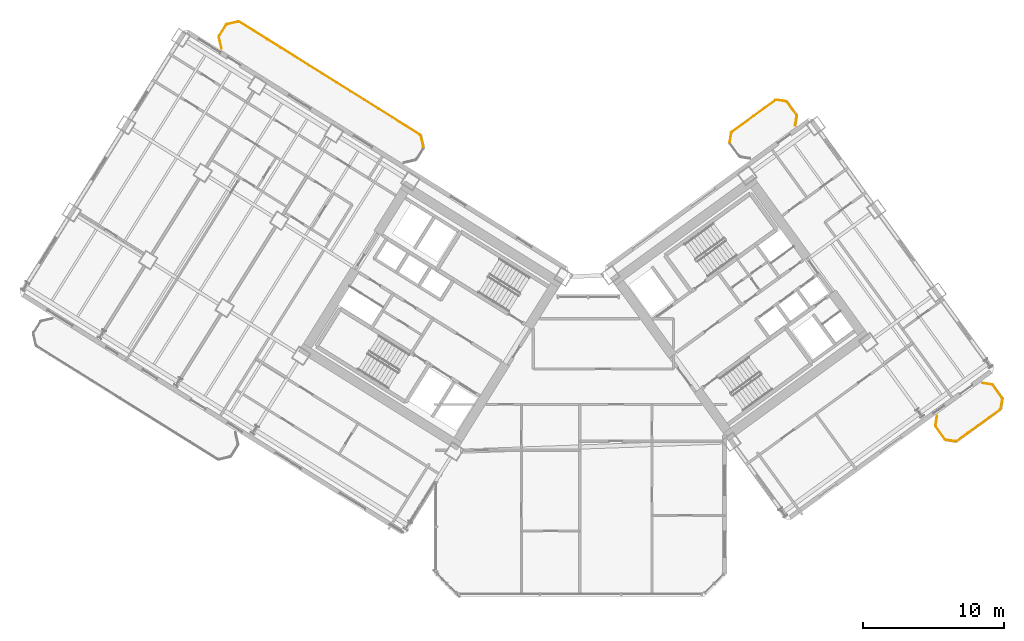
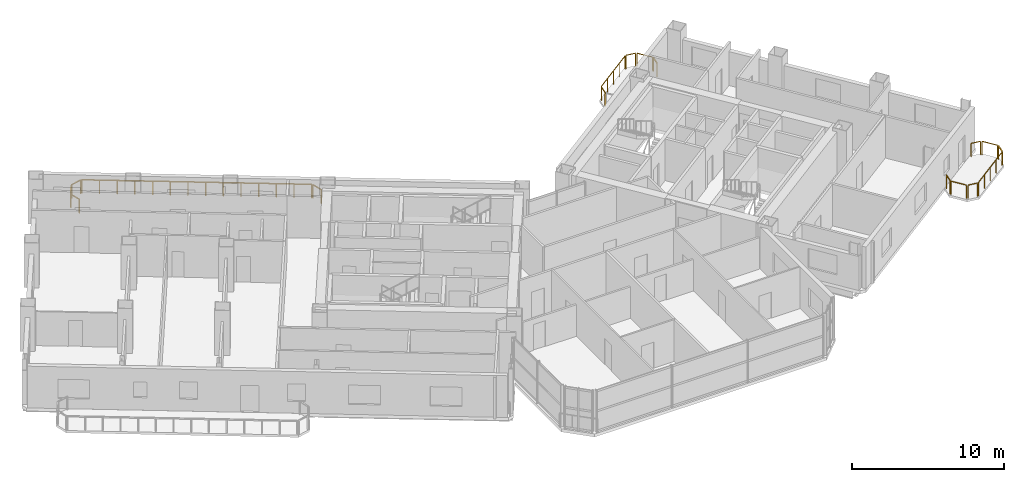
# One storey, part 24 of 24: 17 railings.
"""IFC4 building model written with IfcOpenShell, lengths in metres."""

from ifc_helpers import new_model, si_unit, direction, frame, origin, origin_2d, place, context, subcontext, project, spatial, rectangle, extrude, source, transform, mapped, material, type_object, element, save


model = new_model("IFC4")

# Units and contexts
model_context = context("Model", 3, precision=1e-05, world=origin(), true_north=direction((0.0, 1.0)))
body_context = subcontext(model_context, "Body", "Model", "MODEL_VIEW")
ifc_project = project(units=[si_unit("LENGTHUNIT", "METRE"), si_unit("AREAUNIT", "SQUARE_METRE"), si_unit("VOLUMEUNIT", "CUBIC_METRE"), si_unit("PLANEANGLEUNIT", "RADIAN"), si_unit("MASSUNIT", "GRAM", prefix="KILO")], contexts=[model_context])

# Site, building, storey
site_placement = place(None, origin())
site = spatial("IfcSite", under=ifc_project, at=site_placement, CompositionType="ELEMENT")
building_placement = place(site_placement, origin())
building = spatial("IfcBuilding", under=site, at=building_placement, Name="Tlacorven Tower", CompositionType="ELEMENT")
storey_placement = place(building_placement, frame((0.0, 0.0, 38.39990234375)))
storey = spatial("IfcBuildingStorey", under=building, at=storey_placement, Name="L09", CompositionType="ELEMENT", Elevation=38.39990234375)

# Railings
ifc_material = material(Name="Aluminium and painted steel balustrade", Category="steel")
railing_type = type_object("IfcRailingType", Name="RL-BAL-1100", PredefinedType="BALUSTRADE", material=ifc_material)
shared_shape_1 = source(origin(), body_context, "Body", "SweptSolid", [
    extrude(rectangle(XDim=0.048095703125, YDim=0.048095703125, at=origin_2d()), frame((0.0, 0.0, 1.076171875), z_axis=(0.225058334816, -0.974345290916, 0.0), x_axis=(0.974345290916, 0.225058334816, 0.0)), (0.0, 0.0, 1.0), 0.80712890625),
    extrude(rectangle(XDim=0.0419921875, YDim=0.0419921875, at=origin_2d()), origin(), (0.0, 0.0, 1.0), 1.052001953125),
    extrude(rectangle(XDim=0.0419921875, YDim=0.0419921875, at=origin_2d()), frame((0.181640625, -0.786376953125, 0.0)), (0.0, 0.0, 1.0), 1.052001953125),
])
railing_1_placement = place(storey_placement, frame((30.6796875, 34.466064453125, 0.0)))
element("IfcRailing", 1, at=railing_1_placement, inside=storey, type_object=railing_type, Name="BAL-L09-W-IN Guard Railing 1", PredefinedType="BALUSTRADE", context=body_context, shape_type="MappedRepresentation", body=[
    mapped(shared_shape_1, transform((0.0, 0.0, 0.0), scale=1.0)),
])
shared_shape_2 = source(origin(), body_context, "Body", "SweptSolid", [
    extrude(rectangle(XDim=0.048095703125, YDim=0.048095703125, at=origin_2d()), frame((0.0, 0.0, 1.076171875), z_axis=(-0.225058334816, 0.974345290916, 0.0), x_axis=(-0.974345290916, -0.225058334816, 0.0)), (0.0, 0.0, 1.0), 0.80712890625),
    extrude(rectangle(XDim=0.0419921875, YDim=0.0419921875, at=origin_2d()), origin(), (0.0, 0.0, 1.0), 1.052001953125),
    extrude(rectangle(XDim=0.0419921875, YDim=0.0419921875, at=origin_2d()), frame((-0.181640625, 0.786376953125, 0.0)), (0.0, 0.0, 1.0), 1.052001953125),
])
railing_2_placement = place(storey_placement, frame((16.5361328125, 40.68115234375, 0.0)))
element("IfcRailing", 2, at=railing_2_placement, inside=storey, type_object=railing_type, Name="BAL-L09-W-IN Guard Railing 4", PredefinedType="BALUSTRADE", context=body_context, shape_type="MappedRepresentation", body=[
    mapped(shared_shape_2, transform((0.0, 0.0, 0.0), scale=1.0)),
])
shared_shape_3 = source(origin(), body_context, "Body", "SweptSolid", [
    extrude(rectangle(XDim=0.048095703125, YDim=0.048095703125, at=origin_2d()), frame((0.0, 0.0, 1.076171875), z_axis=(0.52987865805, 0.848073468364, 0.0), x_axis=(-0.848073468364, 0.52987865805, 0.0)), (0.0, 0.0, 1.0), 0.912353515625),
    extrude(rectangle(XDim=0.0419921875, YDim=0.0419921875, at=origin_2d()), origin(), (0.0, 0.0, 1.0), 1.052001953125),
    extrude(rectangle(XDim=0.0419921875, YDim=0.0419921875, at=origin_2d()), frame((0.4833984375, 0.773681640625, 0.0)), (0.0, 0.0, 1.0), 1.052001953125),
])
railing_3_placement = place(storey_placement, frame((16.369873046875, 41.55859375, 0.0)))
element("IfcRailing", 3, at=railing_3_placement, inside=storey, type_object=railing_type, Name="BAL-L09-W-IN Guard Railing 5", PredefinedType="BALUSTRADE", context=body_context, shape_type="MappedRepresentation", body=[
    mapped(shared_shape_3, transform((0.0, 0.0, 0.0), scale=1.0)),
])
shared_shape_4 = source(origin(), body_context, "Body", "SweptSolid", [
    extrude(rectangle(XDim=0.048095703125, YDim=0.048095703125, at=origin_2d()), frame((0.0, 0.0, 1.076171875), z_axis=(0.974411586182, 0.224771129628, 0.0), x_axis=(-0.224771129628, 0.974411586182, 0.0)), (0.0, 0.0, 1.0), 0.80712890625),
    extrude(rectangle(XDim=0.0419921875, YDim=0.0419921875, at=origin_2d()), origin(), (0.0, 0.0, 1.0), 1.052001953125),
    extrude(rectangle(XDim=0.0419921875, YDim=0.0419921875, at=origin_2d()), frame((0.786376953125, 0.181396484375, 0.0)), (0.0, 0.0, 1.0), 1.052001953125),
])
railing_4_placement = place(storey_placement, frame((16.928466796875, 42.385986328125, 0.0)))
element("IfcRailing", 4, at=railing_4_placement, inside=storey, type_object=railing_type, Name="BAL-L09-W-IN Guard Railing 6", PredefinedType="BALUSTRADE", context=body_context, shape_type="MappedRepresentation", body=[
    mapped(shared_shape_4, transform((0.0, 0.0, 0.0), scale=1.0)),
])
shared_shape_5 = source(origin(), body_context, "Body", "SweptSolid", [
    extrude(rectangle(XDim=0.048095703125, YDim=0.048095703125, at=origin_2d()), frame((0.0, 0.0, 1.076171875), z_axis=(0.848044572804, -0.529924902733, 0.0), x_axis=(0.529924902733, 0.848044572804, 0.0)), (0.0, 0.0, 1.0), 15.1171875),
    extrude(rectangle(XDim=0.0419921875, YDim=0.0419921875, at=origin_2d()), origin(), (0.0, 0.0, 1.0), 1.052001953125),
    extrude(rectangle(XDim=0.0419921875, YDim=0.0419921875, at=origin_2d()), frame((0.986083984375, -0.6162109375, 0.0)), (0.0, 0.0, 1.0), 1.052001953125),
    extrude(rectangle(XDim=0.0419921875, YDim=0.0419921875, at=origin_2d()), frame((1.972412109375, -1.232421875, 0.0)), (0.0, 0.0, 1.0), 1.052001953125),
    extrude(rectangle(XDim=0.0419921875, YDim=0.0419921875, at=origin_2d()), frame((2.95849609375, -1.8486328125, 0.0)), (0.0, 0.0, 1.0), 1.052001953125),
    extrude(rectangle(XDim=0.0419921875, YDim=0.0419921875, at=origin_2d()), frame((3.944580078125, -2.46484375, 0.0)), (0.0, 0.0, 1.0), 1.052001953125),
    extrude(rectangle(XDim=0.0419921875, YDim=0.0419921875, at=origin_2d()), frame((4.930908203125, -3.0810546875, 0.0)), (0.0, 0.0, 1.0), 1.052001953125),
    extrude(rectangle(XDim=0.0419921875, YDim=0.0419921875, at=origin_2d()), frame((5.9169921875, -3.697265625, 0.0)), (0.0, 0.0, 1.0), 1.052001953125),
    extrude(rectangle(XDim=0.0419921875, YDim=0.0419921875, at=origin_2d()), frame((6.903076171875, -4.313720703125, 0.0)), (0.0, 0.0, 1.0), 1.052001953125),
    extrude(rectangle(XDim=0.0419921875, YDim=0.0419921875, at=origin_2d()), frame((7.88916015625, -4.929931640625, 0.0)), (0.0, 0.0, 1.0), 1.052001953125),
    extrude(rectangle(XDim=0.0419921875, YDim=0.0419921875, at=origin_2d()), frame((8.87548828125, -5.546142578125, 0.0)), (0.0, 0.0, 1.0), 1.052001953125),
    extrude(rectangle(XDim=0.0419921875, YDim=0.0419921875, at=origin_2d()), frame((9.861572265625, -6.162353515625, 0.0)), (0.0, 0.0, 1.0), 1.052001953125),
    extrude(rectangle(XDim=0.0419921875, YDim=0.0419921875, at=origin_2d()), frame((10.84765625, -6.778564453125, 0.0)), (0.0, 0.0, 1.0), 1.052001953125),
    extrude(rectangle(XDim=0.0419921875, YDim=0.0419921875, at=origin_2d()), frame((11.833984375, -7.394775390625, 0.0)), (0.0, 0.0, 1.0), 1.052001953125),
    extrude(rectangle(XDim=0.0419921875, YDim=0.0419921875, at=origin_2d()), frame((12.820068359375, -8.010986328125, 0.0)), (0.0, 0.0, 1.0), 1.052001953125),
])
railing_5_placement = place(storey_placement, frame((17.805908203125, 42.55224609375, 0.0)))
element("IfcRailing", 5, at=railing_5_placement, inside=storey, type_object=railing_type, Name="BAL-L09-W-IN Guard Railing 7", PredefinedType="BALUSTRADE", context=body_context, shape_type="MappedRepresentation", body=[
    mapped(shared_shape_5, transform((0.0, 0.0, 0.0), scale=1.0)),
])
shared_shape_6 = source(origin(), body_context, "Body", "SweptSolid", [
    extrude(rectangle(XDim=0.048095703125, YDim=0.048095703125, at=origin_2d()), frame((0.0, 0.0, 1.076171875), z_axis=(-0.987661653326, 0.156602868908, 0.0), x_axis=(-0.156602868908, -0.987661653326, 0.0)), (0.0, 0.0, 1.0), 0.665771484375),
    extrude(rectangle(XDim=0.0419921875, YDim=0.0419921875, at=origin_2d()), origin(), (0.0, 0.0, 1.0), 1.052001953125),
    extrude(rectangle(XDim=0.0419921875, YDim=0.0419921875, at=origin_2d()), frame((-0.657470703125, 0.104248046875, 0.0)), (0.0, 0.0, 1.0), 1.052001953125),
])
railing_6_placement = place(storey_placement, frame((68.59521484375, 12.7919921875, 0.0)))
element("IfcRailing", 6, at=railing_6_placement, inside=storey, type_object=railing_type, Name="BAL-L09-E-OUT Guard Railing 1", PredefinedType="BALUSTRADE", context=body_context, shape_type="MappedRepresentation", body=[
    mapped(shared_shape_6, transform((0.0, 0.0, 0.0), scale=1.0)),
])
shared_shape_7 = source(origin(), body_context, "Body", "SweptSolid", [
    extrude(rectangle(XDim=0.048095703125, YDim=0.048095703125, at=origin_2d()), frame((0.0, 0.0, 1.076171875), z_axis=(-0.58788449985, 0.808944877501, 0.0), x_axis=(-0.808944877501, -0.58788449985, 0.0)), (0.0, 0.0, 1.0), 1.112060546875),
    extrude(rectangle(XDim=0.0419921875, YDim=0.0419921875, at=origin_2d()), origin(), (0.0, 0.0, 1.0), 1.052001953125),
    extrude(rectangle(XDim=0.0419921875, YDim=0.0419921875, at=origin_2d()), frame((-0.65380859375, 0.899658203125, 0.0)), (0.0, 0.0, 1.0), 1.052001953125),
])
railing_7_placement = place(storey_placement, frame((67.85888671875, 12.944580078125, 0.0)))
element("IfcRailing", 7, at=railing_7_placement, inside=storey, type_object=railing_type, Name="BAL-L09-E-OUT Guard Railing 2", PredefinedType="BALUSTRADE", context=body_context, shape_type="MappedRepresentation", body=[
    mapped(shared_shape_7, transform((0.0, 0.0, 0.0), scale=1.0)),
])
shared_shape_8 = source(origin(), body_context, "Body", "SweptSolid", [
    extrude(rectangle(XDim=0.048095703125, YDim=0.048095703125, at=origin_2d()), frame((0.0, 0.0, 1.076171875), z_axis=(0.156602868908, 0.987661653326, 0.0), x_axis=(-0.987661653326, 0.156602868908, 0.0)), (0.0, 0.0, 1.0), 0.665771484375),
    extrude(rectangle(XDim=0.0419921875, YDim=0.0419921875, at=origin_2d()), origin(), (0.0, 0.0, 1.0), 1.052001953125),
    extrude(rectangle(XDim=0.0419921875, YDim=0.0419921875, at=origin_2d()), frame((0.104248046875, 0.657470703125, 0.0)), (0.0, 0.0, 1.0), 1.052001953125),
])
railing_8_placement = place(storey_placement, frame((67.18359375, 13.93408203125, 0.0)))
element("IfcRailing", 8, at=railing_8_placement, inside=storey, type_object=railing_type, Name="BAL-L09-E-OUT Guard Railing 3", PredefinedType="BALUSTRADE", context=body_context, shape_type="MappedRepresentation", body=[
    mapped(shared_shape_8, transform((0.0, 0.0, 0.0), scale=1.0)),
])
shared_shape_9 = source(origin(), body_context, "Body", "SweptSolid", [
    extrude(rectangle(XDim=0.048095703125, YDim=0.048095703125, at=origin_2d()), frame((0.0, 0.0, 1.076171875), z_axis=(0.987718317463, -0.156245081039, 0.0), x_axis=(0.156245081039, 0.987718317463, 0.0)), (0.0, 0.0, 1.0), 0.66552734375),
    extrude(rectangle(XDim=0.0419921875, YDim=0.0419921875, at=origin_2d()), origin(), (0.0, 0.0, 1.0), 1.052001953125),
    extrude(rectangle(XDim=0.0419921875, YDim=0.0419921875, at=origin_2d()), frame((0.657470703125, -0.10400390625, 0.0)), (0.0, 0.0, 1.0), 1.052001953125),
])
railing_9_placement = place(storey_placement, frame((70.513916015625, 16.935546875, 0.0)))
element("IfcRailing", 9, at=railing_9_placement, inside=storey, type_object=railing_type, Name="BAL-L09-E-OUT Guard Railing 4", PredefinedType="BALUSTRADE", context=body_context, shape_type="MappedRepresentation", body=[
    mapped(shared_shape_9, transform((0.0, 0.0, 0.0), scale=1.0)),
])
shared_shape_10 = source(origin(), body_context, "Body", "SweptSolid", [
    extrude(rectangle(XDim=0.048095703125, YDim=0.048095703125, at=origin_2d()), frame((0.0, 0.0, 1.076171875), z_axis=(0.58788449985, -0.808944877501, 0.0), x_axis=(0.808944877501, 0.58788449985, 0.0)), (0.0, 0.0, 1.0), 1.112060546875),
    extrude(rectangle(XDim=0.0419921875, YDim=0.0419921875, at=origin_2d()), origin(), (0.0, 0.0, 1.0), 1.052001953125),
    extrude(rectangle(XDim=0.0419921875, YDim=0.0419921875, at=origin_2d()), frame((0.65380859375, -0.899658203125, 0.0)), (0.0, 0.0, 1.0), 1.052001953125),
])
for number, where, name in (
    (10, (71.250244140625, 16.783203125, 0.0), "BAL-L09-E-OUT Guard Railing 5"),
    (11, (56.658447265625, 36.866943359375, 0.0), "BAL-L09-E-IN Guard Railing 6"),
):
    element("IfcRailing", number, at=place(storey_placement, frame(where)), inside=storey, type_object=railing_type, Name=name, PredefinedType="BALUSTRADE", context=body_context, shape_type="MappedRepresentation", body=[
        mapped(shared_shape_10, transform((0.0, 0.0, 0.0), scale=1.0)),
    ])
shared_shape_11 = source(origin(), body_context, "Body", "SweptSolid", [
    extrude(rectangle(XDim=0.048095703125, YDim=0.048095703125, at=origin_2d()), frame((0.0, 0.0, 1.076171875), z_axis=(-0.156188498702, -0.987727266442, 0.0), x_axis=(0.987727266442, -0.156188498702, 0.0)), (0.0, 0.0, 1.0), 0.665771484375),
    extrude(rectangle(XDim=0.0419921875, YDim=0.0419921875, at=origin_2d()), origin(), (0.0, 0.0, 1.0), 1.052001953125),
    extrude(rectangle(XDim=0.0419921875, YDim=0.0419921875, at=origin_2d()), frame((-0.10400390625, -0.65771484375, 0.0)), (0.0, 0.0, 1.0), 1.052001953125),
])
railing_10_placement = place(storey_placement, frame((71.925537109375, 15.793701171875, 0.0)))
element("IfcRailing", 12, at=railing_10_placement, inside=storey, type_object=railing_type, Name="BAL-L09-E-OUT Guard Railing 6", PredefinedType="BALUSTRADE", context=body_context, shape_type="MappedRepresentation", body=[
    mapped(shared_shape_11, transform((0.0, 0.0, 0.0), scale=1.0)),
])
shared_shape_12 = source(origin(), body_context, "Body", "SweptSolid", [
    extrude(rectangle(XDim=0.048095703125, YDim=0.048095703125, at=origin_2d()), frame((0.0, 0.0, 1.076171875), z_axis=(-0.809018102573, -0.587783726986, 0.0), x_axis=(0.587783726986, -0.809018102573, 0.0)), (0.0, 0.0, 1.0), 3.817138671875),
    extrude(rectangle(XDim=0.0419921875, YDim=0.0419921875, at=origin_2d()), origin(), (0.0, 0.0, 1.0), 1.052001953125),
    extrude(rectangle(XDim=0.0419921875, YDim=0.0419921875, at=origin_2d()), frame((-0.77197265625, -0.56103515625, 0.0)), (0.0, 0.0, 1.0), 1.052001953125),
    extrude(rectangle(XDim=0.0419921875, YDim=0.0419921875, at=origin_2d()), frame((-1.5439453125, -1.121826171875, 0.0)), (0.0, 0.0, 1.0), 1.052001953125),
    extrude(rectangle(XDim=0.0419921875, YDim=0.0419921875, at=origin_2d()), frame((-2.316162109375, -1.6826171875, 0.0)), (0.0, 0.0, 1.0), 1.052001953125),
    extrude(rectangle(XDim=0.0419921875, YDim=0.0419921875, at=origin_2d()), frame((-3.088134765625, -2.24365234375, 0.0)), (0.0, 0.0, 1.0), 1.052001953125),
])
railing_11_placement = place(storey_placement, frame((71.773193359375, 15.057373046875, 0.0)))
element("IfcRailing", 13, at=railing_11_placement, inside=storey, type_object=railing_type, Name="BAL-L09-E-OUT Guard Railing 7", PredefinedType="BALUSTRADE", context=body_context, shape_type="MappedRepresentation", body=[
    mapped(shared_shape_12, transform((0.0, 0.0, 0.0), scale=1.0)),
])
shared_shape_13 = source(origin(), body_context, "Body", "SweptSolid", [
    extrude(rectangle(XDim=0.048095703125, YDim=0.048095703125, at=origin_2d()), frame((0.0, 0.0, 1.076171875), z_axis=(0.156546163506, 0.987670642822, 0.0), x_axis=(-0.987670642822, 0.156546163506, 0.0)), (0.0, 0.0, 1.0), 0.666015625),
    extrude(rectangle(XDim=0.0419921875, YDim=0.0419921875, at=origin_2d()), origin(), (0.0, 0.0, 1.0), 1.052001953125),
    extrude(rectangle(XDim=0.0419921875, YDim=0.0419921875, at=origin_2d()), frame((0.104248046875, 0.65771484375, 0.0)), (0.0, 0.0, 1.0), 1.052001953125),
])
railing_12_placement = place(storey_placement, frame((52.591796875, 34.017822265625, 0.0)))
element("IfcRailing", 14, at=railing_12_placement, inside=storey, type_object=railing_type, Name="BAL-L09-E-IN Guard Railing 3", PredefinedType="BALUSTRADE", context=body_context, shape_type="MappedRepresentation", body=[
    mapped(shared_shape_13, transform((0.0, 0.0, 0.0), scale=1.0)),
])
shared_shape_14 = source(origin(), body_context, "Body", "SweptSolid", [
    extrude(rectangle(XDim=0.048095703125, YDim=0.048095703125, at=origin_2d()), frame((0.0, 0.0, 1.076171875), z_axis=(0.809040198054, 0.587753313843, 0.0), x_axis=(-0.587753313843, 0.809040198054, 0.0)), (0.0, 0.0, 1.0), 3.8173828125),
    extrude(rectangle(XDim=0.0419921875, YDim=0.0419921875, at=origin_2d()), origin(), (0.0, 0.0, 1.0), 1.052001953125),
    extrude(rectangle(XDim=0.0419921875, YDim=0.0419921875, at=origin_2d()), frame((0.77197265625, 0.56103515625, 0.0)), (0.0, 0.0, 1.0), 1.052001953125),
    extrude(rectangle(XDim=0.0419921875, YDim=0.0419921875, at=origin_2d()), frame((1.544189453125, 1.121826171875, 0.0)), (0.0, 0.0, 1.0), 1.052001953125),
    extrude(rectangle(XDim=0.0419921875, YDim=0.0419921875, at=origin_2d()), frame((2.31640625, 1.6826171875, 0.0)), (0.0, 0.0, 1.0), 1.052001953125),
    extrude(rectangle(XDim=0.0419921875, YDim=0.0419921875, at=origin_2d()), frame((3.08837890625, 2.24365234375, 0.0)), (0.0, 0.0, 1.0), 1.052001953125),
])
railing_13_placement = place(storey_placement, frame((52.744140625, 34.754150390625, 0.0)))
element("IfcRailing", 15, at=railing_13_placement, inside=storey, type_object=railing_type, Name="BAL-L09-E-IN Guard Railing 4", PredefinedType="BALUSTRADE", context=body_context, shape_type="MappedRepresentation", body=[
    mapped(shared_shape_14, transform((0.0, 0.0, 0.0), scale=1.0)),
])
shared_shape_15 = source(origin(), body_context, "Body", "SweptSolid", [
    extrude(rectangle(XDim=0.048095703125, YDim=0.048095703125, at=origin_2d()), frame((0.0, 0.0, 1.076171875), z_axis=(0.987670642822, -0.156546163506, 0.0), x_axis=(0.156546163506, 0.987670642822, 0.0)), (0.0, 0.0, 1.0), 0.666015625),
    extrude(rectangle(XDim=0.0419921875, YDim=0.0419921875, at=origin_2d()), origin(), (0.0, 0.0, 1.0), 1.052001953125),
    extrude(rectangle(XDim=0.0419921875, YDim=0.0419921875, at=origin_2d()), frame((0.65771484375, -0.104248046875, 0.0)), (0.0, 0.0, 1.0), 1.052001953125),
])
railing_14_placement = place(storey_placement, frame((55.922119140625, 37.01953125, 0.0)))
element("IfcRailing", 16, at=railing_14_placement, inside=storey, type_object=railing_type, Name="BAL-L09-E-IN Guard Railing 5", PredefinedType="BALUSTRADE", context=body_context, shape_type="MappedRepresentation", body=[
    mapped(shared_shape_15, transform((0.0, 0.0, 0.0), scale=1.0)),
])
shared_shape_16 = source(origin(), body_context, "Body", "SweptSolid", [
    extrude(rectangle(XDim=0.048095703125, YDim=0.048095703125, at=origin_2d()), frame((0.0, 0.0, 1.076171875), z_axis=(-0.156245081039, -0.987718317463, 0.0), x_axis=(0.987718317463, -0.156245081039, 0.0)), (0.0, 0.0, 1.0), 0.66552734375),
    extrude(rectangle(XDim=0.0419921875, YDim=0.0419921875, at=origin_2d()), origin(), (0.0, 0.0, 1.0), 1.052001953125),
    extrude(rectangle(XDim=0.0419921875, YDim=0.0419921875, at=origin_2d()), frame((-0.10400390625, -0.657470703125, 0.0)), (0.0, 0.0, 1.0), 1.052001953125),
])
railing_15_placement = place(storey_placement, frame((57.333740234375, 35.87744140625, 0.0)))
element("IfcRailing", 17, at=railing_15_placement, inside=storey, type_object=railing_type, Name="BAL-L09-E-IN Guard Railing 7", PredefinedType="BALUSTRADE", context=body_context, shape_type="MappedRepresentation", body=[
    mapped(shared_shape_16, transform((0.0, 0.0, 0.0), scale=1.0)),
])

save(model, "model.ifc")
